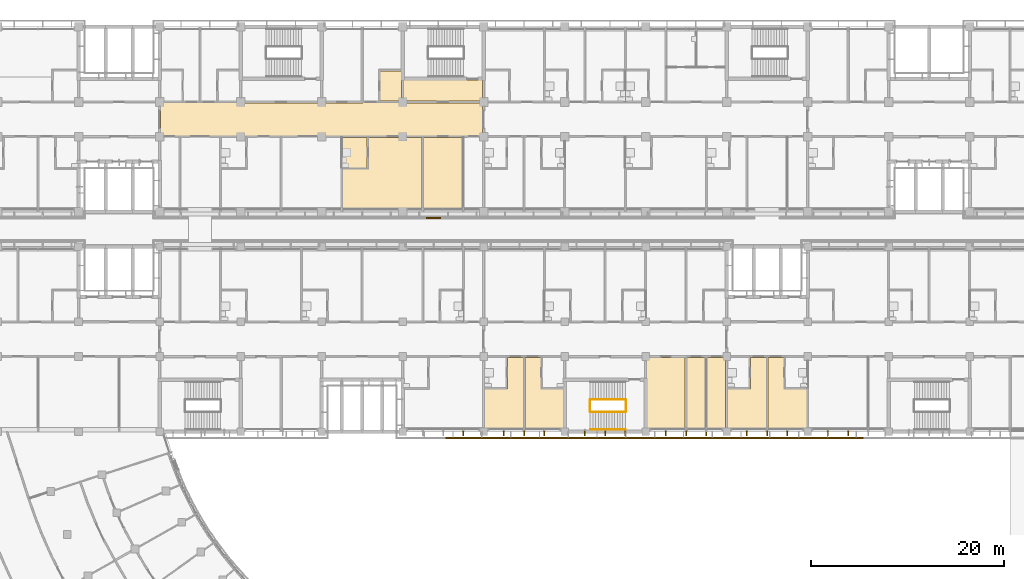
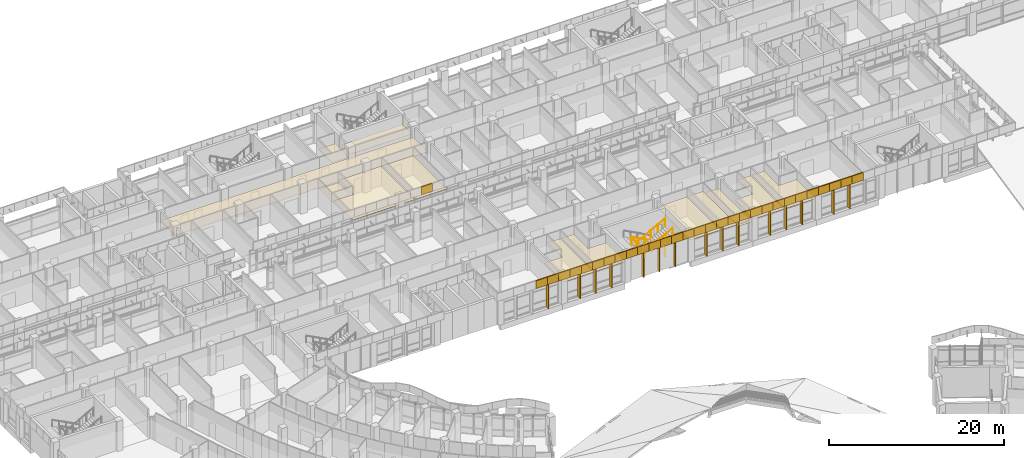
# One storey, part 127 of 137: 43 coverings, 15 shading devices, 5 railings.
"""IFC4 building model written with IfcOpenShell, lengths in metres."""

from ifc_helpers import new_model, si_unit, direction, frame, origin, origin_2d, place, context, subcontext, project, spatial, polyline, rectangle, circle, outline, extrude, material, layer, layer_set, material_profile, profile_set, type_object, element, save


model = new_model("IFC4")

# Units and contexts
model_context = context("Model", 3, precision=1e-05, world=origin(), true_north=direction((0.0, 1.0)))
body_context = subcontext(model_context, "Body", "Model", "MODEL_VIEW")
ifc_project = project(units=[si_unit("LENGTHUNIT", "METRE"), si_unit("AREAUNIT", "SQUARE_METRE"), si_unit("VOLUMEUNIT", "CUBIC_METRE"), si_unit("PLANEANGLEUNIT", "RADIAN"), si_unit("MASSUNIT", "GRAM", prefix="KILO")], contexts=[model_context])

# Site, building, storey
site_placement = place(None, origin())
site = spatial("IfcSite", under=ifc_project, at=site_placement, CompositionType="ELEMENT")
building_placement = place(site_placement, origin())
building = spatial("IfcBuilding", under=site, at=building_placement, Name="Bougainvillea Quay General Hospital", CompositionType="ELEMENT")
storey_placement = place(building_placement, frame((0.0, 0.0, 16.800048828125)))
storey = spatial("IfcBuildingStorey", under=building, at=storey_placement, Name="L03", CompositionType="ELEMENT", Elevation=16.800048828125)

# Coverings
ifc_material_1 = material(Name="Powder-coated aluminium fascia, white", Category="aluminium")
ifc_layer_1 = layer(ifc_material_1, 0.14990234375)
ifc_layer_set_1 = layer_set([ifc_layer_1], Name="Powder-coated aluminium fascia, white")
covering_type_1 = type_object("IfcCoveringType", Name="Aluminium fascia band white 150x1100", PredefinedType="CLADDING", material=ifc_layer_set_1)
covering_1_placement = place(storey_placement, frame((103.27587890625, 139.85009765625, 3.64990234375), z_axis=(0.0, 0.0, 1.0), x_axis=(1.0, 0.0, 0.0)))
element("IfcCovering", 1, at=covering_1_placement, inside=storey, type_object=covering_type_1, Name="Fascia band white e1 16", PredefinedType="CLADDING", context=body_context, shape_type="SweptSolid", body=[
    extrude(outline(polyline([(0.0, 0.0), (1.48095703125, 0.0), (1.48095703125, -0.150146484375), (0.0, -0.150146484375), (0.0, 0.0)])), origin(), (0.0, 0.0, 1.0), 1.10009765625),
])
covering_2_placement = place(storey_placement, frame((105.280029296875, 117.050048828125, 3.64990234375), z_axis=(0.0, 0.0, 1.0), x_axis=(1.0, 0.0, 0.0)))
element("IfcCovering", 2, at=covering_2_placement, inside=storey, type_object=covering_type_1, Name="Fascia band white e1 29", PredefinedType="CLADDING", context=body_context, shape_type="SweptSolid", body=[
    extrude(outline(polyline([(0.0, 0.0), (1.493408203125, 0.0), (1.493408203125, -0.150146484375), (0.0, -0.150146484375), (0.0, 0.0)])), origin(), (0.0, 0.0, 1.0), 1.10009765625),
])
covering_3_placement = place(storey_placement, frame((106.7734375, 117.050048828125, 3.64990234375), z_axis=(0.0, 0.0, 1.0), x_axis=(1.0, 0.0, 0.0)))
element("IfcCovering", 3, at=covering_3_placement, inside=storey, type_object=covering_type_1, Name="Fascia band white e1 30", PredefinedType="CLADDING", context=body_context, shape_type="SweptSolid", body=[
    extrude(outline(polyline([(0.0, 0.0), (1.4931640625, 0.0), (1.4931640625, -0.150146484375), (0.0, -0.150146484375), (0.0, 0.0)])), origin(), (0.0, 0.0, 1.0), 1.10009765625),
])
for number, where, z_axis, x_axis, name in (
    (4, (108.2666015625, 117.050048828125, 3.64990234375), (0.0, 0.0, 1.0), (1.0, 0.0, 0.0), "Fascia band white e1 31"),
    (5, (109.760009765625, 117.050048828125, 3.64990234375), (0.0, 0.0, 1.0), (1.0, 0.0, 0.0), "Fascia band white e1 32"),
):
    element("IfcCovering", number, at=place(storey_placement, frame(where, z_axis=z_axis, x_axis=x_axis)), inside=storey, type_object=covering_type_1, Name=name, PredefinedType="CLADDING", context=body_context, shape_type="SweptSolid", body=[
        extrude(outline(polyline([(0.0, 0.0), (1.493408203125, 0.0), (1.493408203125, -0.150146484375), (0.0, -0.150146484375), (0.0, 0.0)])), origin(), (0.0, 0.0, 1.0), 1.10009765625),
    ])
covering_4_placement = place(storey_placement, frame((111.25341796875, 117.050048828125, 3.64990234375), z_axis=(0.0, 0.0, 1.0), x_axis=(1.0, 0.0, 0.0)))
element("IfcCovering", 6, at=covering_4_placement, inside=storey, type_object=covering_type_1, Name="Fascia band white e1 33", PredefinedType="CLADDING", context=body_context, shape_type="SweptSolid", body=[
    extrude(outline(polyline([(0.0, 0.0), (1.4931640625, 0.0), (1.4931640625, -0.150146484375), (0.0, -0.150146484375), (0.0, 0.0)])), origin(), (0.0, 0.0, 1.0), 1.10009765625),
])
for number, where, z_axis, x_axis, name in (
    (7, (112.74658203125, 117.050048828125, 3.64990234375), (0.0, 0.0, 1.0), (1.0, 0.0, 0.0), "Fascia band white e1 34"),
    (8, (114.239990234375, 117.050048828125, 3.64990234375), (0.0, 0.0, 1.0), (1.0, 0.0, 0.0), "Fascia band white e1 35"),
):
    element("IfcCovering", number, at=place(storey_placement, frame(where, z_axis=z_axis, x_axis=x_axis)), inside=storey, type_object=covering_type_1, Name=name, PredefinedType="CLADDING", context=body_context, shape_type="SweptSolid", body=[
        extrude(outline(polyline([(0.0, 0.0), (1.493408203125, 0.0), (1.493408203125, -0.150146484375), (0.0, -0.150146484375), (0.0, 0.0)])), origin(), (0.0, 0.0, 1.0), 1.10009765625),
    ])
covering_5_placement = place(storey_placement, frame((115.7333984375, 117.050048828125, 3.64990234375), z_axis=(0.0, 0.0, 1.0), x_axis=(1.0, 0.0, 0.0)))
element("IfcCovering", 9, at=covering_5_placement, inside=storey, type_object=covering_type_1, Name="Fascia band white e1 36", PredefinedType="CLADDING", context=body_context, shape_type="SweptSolid", body=[
    extrude(outline(polyline([(0.0, 0.0), (1.4931640625, 0.0), (1.4931640625, -0.150146484375), (0.0, -0.150146484375), (0.0, 0.0)])), origin(), (0.0, 0.0, 1.0), 1.10009765625),
])
for number, where, z_axis, x_axis, name in (
    (10, (117.2265625, 117.050048828125, 3.64990234375), (0.0, 0.0, 1.0), (1.0, 0.0, 0.0), "Fascia band white e1 37"),
    (11, (118.719970703125, 117.050048828125, 3.64990234375), (0.0, 0.0, 1.0), (1.0, 0.0, 0.0), "Fascia band white e1 38"),
    (12, (120.21337890625, 117.050048828125, 3.64990234375), (0.0, 0.0, 1.0), (1.0, 0.0, 0.0), "Fascia band white e1 39"),
):
    element("IfcCovering", number, at=place(storey_placement, frame(where, z_axis=z_axis, x_axis=x_axis)), inside=storey, type_object=covering_type_1, Name=name, PredefinedType="CLADDING", context=body_context, shape_type="SweptSolid", body=[
        extrude(outline(polyline([(0.0, 0.0), (1.493408203125, 0.0), (1.493408203125, -0.150146484375), (0.0, -0.150146484375), (0.0, 0.0)])), origin(), (0.0, 0.0, 1.0), 1.10009765625),
    ])
covering_6_placement = place(storey_placement, frame((121.706787109375, 117.050048828125, 3.64990234375), z_axis=(0.0, 0.0, 1.0), x_axis=(1.0, 0.0, 0.0)))
element("IfcCovering", 13, at=covering_6_placement, inside=storey, type_object=covering_type_1, Name="Fascia band white e1 40", PredefinedType="CLADDING", context=body_context, shape_type="SweptSolid", body=[
    extrude(outline(polyline([(0.0, 0.0), (1.4931640625, 0.0), (1.4931640625, -0.150146484375), (0.0, -0.150146484375), (0.0, 0.0)])), origin(), (0.0, 0.0, 1.0), 1.10009765625),
])
for number, where, z_axis, x_axis, name in (
    (14, (123.199951171875, 117.050048828125, 3.64990234375), (0.0, 0.0, 1.0), (1.0, 0.0, 0.0), "Fascia band white e1 41"),
    (15, (124.693359375, 117.050048828125, 3.64990234375), (0.0, 0.0, 1.0), (1.0, 0.0, 0.0), "Fascia band white e1 42"),
):
    element("IfcCovering", number, at=place(storey_placement, frame(where, z_axis=z_axis, x_axis=x_axis)), inside=storey, type_object=covering_type_1, Name=name, PredefinedType="CLADDING", context=body_context, shape_type="SweptSolid", body=[
        extrude(outline(polyline([(0.0, 0.0), (1.493408203125, 0.0), (1.493408203125, -0.150146484375), (0.0, -0.150146484375), (0.0, 0.0)])), origin(), (0.0, 0.0, 1.0), 1.10009765625),
    ])
covering_7_placement = place(storey_placement, frame((126.186767578125, 117.050048828125, 3.64990234375), z_axis=(0.0, 0.0, 1.0), x_axis=(1.0, 0.0, 0.0)))
element("IfcCovering", 16, at=covering_7_placement, inside=storey, type_object=covering_type_1, Name="Fascia band white e1 43", PredefinedType="CLADDING", context=body_context, shape_type="SweptSolid", body=[
    extrude(outline(polyline([(0.0, 0.0), (1.4931640625, 0.0), (1.4931640625, -0.150146484375), (0.0, -0.150146484375), (0.0, 0.0)])), origin(), (0.0, 0.0, 1.0), 1.10009765625),
])
for number, where, z_axis, x_axis, name in (
    (17, (127.679931640625, 117.050048828125, 3.64990234375), (0.0, 0.0, 1.0), (1.0, 0.0, 0.0), "Fascia band white e1 44"),
    (18, (129.17333984375, 117.050048828125, 3.64990234375), (0.0, 0.0, 1.0), (1.0, 0.0, 0.0), "Fascia band white e1 45"),
):
    element("IfcCovering", number, at=place(storey_placement, frame(where, z_axis=z_axis, x_axis=x_axis)), inside=storey, type_object=covering_type_1, Name=name, PredefinedType="CLADDING", context=body_context, shape_type="SweptSolid", body=[
        extrude(outline(polyline([(0.0, 0.0), (1.493408203125, 0.0), (1.493408203125, -0.150146484375), (0.0, -0.150146484375), (0.0, 0.0)])), origin(), (0.0, 0.0, 1.0), 1.10009765625),
    ])
covering_8_placement = place(storey_placement, frame((130.666748046875, 117.050048828125, 3.64990234375), z_axis=(0.0, 0.0, 1.0), x_axis=(1.0, 0.0, 0.0)))
element("IfcCovering", 19, at=covering_8_placement, inside=storey, type_object=covering_type_1, Name="Fascia band white e1 46", PredefinedType="CLADDING", context=body_context, shape_type="SweptSolid", body=[
    extrude(outline(polyline([(0.0, 0.0), (1.4931640625, 0.0), (1.4931640625, -0.150146484375), (0.0, -0.150146484375), (0.0, 0.0)])), origin(), (0.0, 0.0, 1.0), 1.10009765625),
])
for number, where, z_axis, x_axis, name in (
    (20, (132.159912109375, 117.050048828125, 3.64990234375), (0.0, 0.0, 1.0), (1.0, 0.0, 0.0), "Fascia band white e1 47"),
    (21, (133.6533203125, 117.050048828125, 3.64990234375), (0.0, 0.0, 1.0), (1.0, 0.0, 0.0), "Fascia band white e1 48"),
):
    element("IfcCovering", number, at=place(storey_placement, frame(where, z_axis=z_axis, x_axis=x_axis)), inside=storey, type_object=covering_type_1, Name=name, PredefinedType="CLADDING", context=body_context, shape_type="SweptSolid", body=[
        extrude(outline(polyline([(0.0, 0.0), (1.493408203125, 0.0), (1.493408203125, -0.150146484375), (0.0, -0.150146484375), (0.0, 0.0)])), origin(), (0.0, 0.0, 1.0), 1.10009765625),
    ])
covering_9_placement = place(storey_placement, frame((135.146728515625, 117.050048828125, 3.64990234375), z_axis=(0.0, 0.0, 1.0), x_axis=(1.0, 0.0, 0.0)))
element("IfcCovering", 22, at=covering_9_placement, inside=storey, type_object=covering_type_1, Name="Fascia band white e1 49", PredefinedType="CLADDING", context=body_context, shape_type="SweptSolid", body=[
    extrude(outline(polyline([(0.0, 0.0), (1.4931640625, 0.0), (1.4931640625, -0.150146484375), (0.0, -0.150146484375), (0.0, 0.0)])), origin(), (0.0, 0.0, 1.0), 1.10009765625),
])
for number, where, z_axis, x_axis, name in (
    (23, (136.639892578125, 117.050048828125, 3.64990234375), (0.0, 0.0, 1.0), (1.0, 0.0, 0.0), "Fascia band white e1 50"),
    (24, (138.13330078125, 117.050048828125, 3.64990234375), (0.0, 0.0, 1.0), (1.0, 0.0, 0.0), "Fascia band white e1 51"),
    (25, (139.626708984375, 117.050048828125, 3.64990234375), (0.0, 0.0, 1.0), (1.0, 0.0, 0.0), "Fascia band white e1 52"),
):
    element("IfcCovering", number, at=place(storey_placement, frame(where, z_axis=z_axis, x_axis=x_axis)), inside=storey, type_object=covering_type_1, Name=name, PredefinedType="CLADDING", context=body_context, shape_type="SweptSolid", body=[
        extrude(outline(polyline([(0.0, 0.0), (1.493408203125, 0.0), (1.493408203125, -0.150146484375), (0.0, -0.150146484375), (0.0, 0.0)])), origin(), (0.0, 0.0, 1.0), 1.10009765625),
    ])
covering_10_placement = place(storey_placement, frame((141.1201171875, 117.050048828125, 3.64990234375), z_axis=(0.0, 0.0, 1.0), x_axis=(1.0, 0.0, 0.0)))
element("IfcCovering", 26, at=covering_10_placement, inside=storey, type_object=covering_type_1, Name="Fascia band white e1 53", PredefinedType="CLADDING", context=body_context, shape_type="SweptSolid", body=[
    extrude(outline(polyline([(0.0, 0.0), (1.4931640625, 0.0), (1.4931640625, -0.150146484375), (0.0, -0.150146484375), (0.0, 0.0)])), origin(), (0.0, 0.0, 1.0), 1.10009765625),
])
for number, where, z_axis, x_axis, name in (
    (27, (142.61328125, 117.050048828125, 3.64990234375), (0.0, 0.0, 1.0), (1.0, 0.0, 0.0), "Fascia band white e1 54"),
    (28, (144.106689453125, 117.050048828125, 3.64990234375), (0.0, 0.0, 1.0), (1.0, 0.0, 0.0), "Fascia band white e1 55"),
):
    element("IfcCovering", number, at=place(storey_placement, frame(where, z_axis=z_axis, x_axis=x_axis)), inside=storey, type_object=covering_type_1, Name=name, PredefinedType="CLADDING", context=body_context, shape_type="SweptSolid", body=[
        extrude(outline(polyline([(0.0, 0.0), (1.493408203125, 0.0), (1.493408203125, -0.150146484375), (0.0, -0.150146484375), (0.0, 0.0)])), origin(), (0.0, 0.0, 1.0), 1.10009765625),
    ])
covering_11_placement = place(storey_placement, frame((145.60009765625, 117.050048828125, 3.64990234375), z_axis=(0.0, 0.0, 1.0), x_axis=(1.0, 0.0, 0.0)))
element("IfcCovering", 29, at=covering_11_placement, inside=storey, type_object=covering_type_1, Name="Fascia band white e1 56", PredefinedType="CLADDING", context=body_context, shape_type="SweptSolid", body=[
    extrude(outline(polyline([(0.0, 0.0), (1.4931640625, 0.0), (1.4931640625, -0.150146484375), (0.0, -0.150146484375), (0.0, 0.0)])), origin(), (0.0, 0.0, 1.0), 1.10009765625),
])
covering_12_placement = place(storey_placement, frame((147.09326171875, 117.050048828125, 3.64990234375), z_axis=(0.0, 0.0, 1.0), x_axis=(1.0, 0.0, 0.0)))
element("IfcCovering", 30, at=covering_12_placement, inside=storey, type_object=covering_type_1, Name="Fascia band white e1 57", PredefinedType="CLADDING", context=body_context, shape_type="SweptSolid", body=[
    extrude(outline(polyline([(0.0, 0.0), (1.493408203125, 0.0), (1.493408203125, -0.150146484375), (0.0, -0.150146484375), (0.0, 0.0)])), origin(), (0.0, 0.0, 1.0), 1.10009765625),
])

# Railings
ifc_material_2 = material(Name="Stainless steel 304 balustrade", Category="steel")
railing_type_1 = type_object("IfcRailingType", Name="Stair guard 1100", PredefinedType="GUARDRAIL", material=ifc_material_2)
railing_1_placement = place(storey_placement, frame((123.89990234375, 120.949951171875, 0.14990234375)))
element("IfcRailing", 31, at=railing_1_placement, inside=storey, type_object=railing_type_1, Name="L03 ST-B3 stair guard 1", PredefinedType="GUARDRAIL", context=body_context, shape_type="SweptSolid", body=[
    extrude(circle(Radius=0.02392578125, at=origin_2d()), frame((0.0, 0.0, 1.076171875), z_axis=(-0.881479091078, 0.0, 0.472223053219), x_axis=(0.0, -1.0, 0.0)), (0.0, 0.0, 1.0), 4.12939453125),
    extrude(circle(Radius=0.02099609375, at=origin_2d()), origin(), (0.0, 0.0, 1.0), 1.052001953125),
    extrude(circle(Radius=0.02099609375, at=origin_2d()), frame((-0.909912109375, 0.0, 0.487548828125)), (0.0, 0.0, 1.0), 1.052001953125),
    extrude(circle(Radius=0.02099609375, at=origin_2d()), frame((-1.81982421875, 0.0, 0.97509765625)), (0.0, 0.0, 1.0), 1.052001953125),
    extrude(circle(Radius=0.02099609375, at=origin_2d()), frame((-2.72998046875, 0.0, 1.46240234375)), (0.0, 0.0, 1.0), 1.052001953125),
    extrude(circle(Radius=0.02099609375, at=origin_2d()), frame((-3.639892578125, 0.0, 1.949951171875)), (0.0, 0.0, 1.0), 1.052001953125),
])
railing_2_placement = place(storey_placement, frame((120.2099609375, 120.89990234375, 2.099853515625)))
element("IfcRailing", 32, at=railing_2_placement, inside=storey, type_object=railing_type_1, Name="L03 ST-B3 stair guard 2", PredefinedType="GUARDRAIL", context=body_context, shape_type="SweptSolid", body=[
    extrude(circle(Radius=0.02392578125, at=origin_2d()), frame((0.0, 0.0, 1.076171875), z_axis=(0.0, -1.0, 0.0), x_axis=(1.0, 0.0, 0.0)), (0.0, 0.0, 1.0), 1.199951171875),
    extrude(circle(Radius=0.02099609375, at=origin_2d()), origin(), (0.0, 0.0, 1.0), 1.052001953125),
    extrude(circle(Radius=0.02099609375, at=origin_2d()), frame((0.0, -1.199951171875, 0.0)), (0.0, 0.0, 1.0), 1.052001953125),
])
railing_3_placement = place(storey_placement, frame((120.260009765625, 119.64990234375, 2.25)))
element("IfcRailing", 33, at=railing_3_placement, inside=storey, type_object=railing_type_1, Name="L03 ST-B3 stair guard 3", PredefinedType="GUARDRAIL", context=body_context, shape_type="SweptSolid", body=[
    extrude(circle(Radius=0.02392578125, at=origin_2d()), frame((0.0, 0.0, 1.076171875), z_axis=(0.881479091078, 0.0, 0.472223053219), x_axis=(0.0, 1.0, 0.0)), (0.0, 0.0, 1.0), 4.12939453125),
    extrude(circle(Radius=0.02099609375, at=origin_2d()), origin(), (0.0, 0.0, 1.0), 1.052001953125),
    extrude(circle(Radius=0.02099609375, at=origin_2d()), frame((0.909912109375, 0.0, 0.487548828125)), (0.0, 0.0, 1.0), 1.052001953125),
    extrude(circle(Radius=0.02099609375, at=origin_2d()), frame((1.81982421875, 0.0, 0.97509765625)), (0.0, 0.0, 1.0), 1.052001953125),
    extrude(circle(Radius=0.02099609375, at=origin_2d()), frame((2.72998046875, 0.0, 1.46240234375)), (0.0, 0.0, 1.0), 1.052001953125),
    extrude(circle(Radius=0.02099609375, at=origin_2d()), frame((3.639892578125, 0.0, 1.949951171875)), (0.0, 0.0, 1.0), 1.052001953125),
])
railing_4_placement = place(storey_placement, frame((123.949951171875, 120.89990234375, 0.0)))
element("IfcRailing", 34, at=railing_4_placement, inside=storey, type_object=railing_type_1, Name="L03 ST-B3 stair guard 4", PredefinedType="GUARDRAIL", context=body_context, shape_type="SweptSolid", body=[
    extrude(circle(Radius=0.02392578125, at=origin_2d()), frame((0.0, 0.0, 1.076171875), z_axis=(0.0, -1.0, 0.0), x_axis=(1.0, 0.0, 0.0)), (0.0, 0.0, 1.0), 1.199951171875),
    extrude(circle(Radius=0.02099609375, at=origin_2d()), origin(), (0.0, 0.0, 1.0), 1.052001953125),
    extrude(circle(Radius=0.02099609375, at=origin_2d()), frame((0.0, -1.199951171875, 0.0)), (0.0, 0.0, 1.0), 1.052001953125),
])
ifc_material_3 = material(Name="Stainless steel 304 handrail", Category="steel")
railing_type_2 = type_object("IfcRailingType", Name="Stair handrail 900", PredefinedType="HANDRAIL", material=ifc_material_3)
railing_5_placement = place(storey_placement, frame((120.260009765625, 117.824951171875, 2.25)))
element("IfcRailing", 35, at=railing_5_placement, inside=storey, type_object=railing_type_2, Name="L03 ST-B3 stair handrail 2", PredefinedType="HANDRAIL", context=body_context, shape_type="SweptSolid", body=[
    extrude(circle(Radius=0.02392578125, at=origin_2d()), frame((0.0, 0.0, 0.8759765625), z_axis=(0.881479091078, 0.0, 0.472223053219), x_axis=(0.0, 1.0, 0.0)), (0.0, 0.0, 1.0), 4.12939453125),
    extrude(circle(Radius=0.02099609375, at=origin_2d()), origin(), (0.0, 0.0, 1.0), 0.851806640625),
    extrude(circle(Radius=0.02099609375, at=origin_2d()), frame((0.909912109375, 0.0, 0.487548828125)), (0.0, 0.0, 1.0), 0.851806640625),
    extrude(circle(Radius=0.02099609375, at=origin_2d()), frame((1.81982421875, 0.0, 0.97509765625)), (0.0, 0.0, 1.0), 0.851806640625),
    extrude(circle(Radius=0.02099609375, at=origin_2d()), frame((2.72998046875, 0.0, 1.46240234375)), (0.0, 0.0, 1.0), 0.851806640625),
    extrude(circle(Radius=0.02099609375, at=origin_2d()), frame((3.639892578125, 0.0, 1.949951171875)), (0.0, 0.0, 1.0), 0.851806640625),
])

# Coverings
ifc_material_4 = material(Name="Mineral fibre ceiling tile")
ifc_layer_2 = layer(ifc_material_4, 0.030029296875)
ifc_layer_set_2 = layer_set([ifc_layer_2], Name="Mineral fibre ceiling tile")
covering_type_2 = type_object("IfcCoveringType", Name="Suspended ceiling mineral fibre tile", PredefinedType="CEILING", material=ifc_layer_set_2)
covering_13_placement = place(storey_placement, frame((0.0, 0.0, 2.699951171875)))
element("IfcCovering", 36, at=covering_13_placement, inside=storey, type_object=covering_type_2, Name="Ceiling Refuge Room RR-B3-L03", PredefinedType="CEILING", context=body_context, shape_type="SweptSolid", body=[
    extrude(outline(polyline([(130.10009765625, 117.60009765625), (130.10009765625, 125.300048828125), (126.10009765625, 125.300048828125), (126.10009765625, 117.60009765625), (130.10009765625, 117.60009765625)])), origin(), (0.0, 0.0, 1.0), 0.030029296875),
])
covering_14_placement = place(storey_placement, frame((0.0, 0.0, 2.699951171875)))
element("IfcCovering", 37, at=covering_14_placement, inside=storey, type_object=covering_type_2, Name="Ceiling Smoke-proof Vestibule ST-A5", PredefinedType="CEILING", context=body_context, shape_type="SweptSolid", body=[
    extrude(outline(polyline([(100.89990234375, 151.89990234375), (109.10009765625, 151.89990234375), (109.10009765625, 154.10009765625), (100.89990234375, 154.10009765625), (100.89990234375, 151.89990234375)])), origin(), (0.0, 0.0, 1.0), 0.030029296875),
])
covering_15_placement = place(storey_placement, frame((0.0, 0.0, 2.699951171875)))
element("IfcCovering", 38, at=covering_15_placement, inside=storey, type_object=covering_type_2, Name="Ceiling Gynaecology Ward Room 03A13", PredefinedType="CEILING", context=body_context, shape_type="SweptSolid", body=[
    extrude(outline(polyline([(102.824951171875, 140.39990234375), (102.824951171875, 148.125), (97.27490234375, 148.125), (97.27490234375, 144.824951171875), (94.574951171875, 144.824951171875), (94.574951171875, 140.39990234375), (102.824951171875, 140.39990234375)])), origin(), (0.0, 0.0, 1.0), 0.030029296875),
])
covering_16_placement = place(storey_placement, frame((0.0, 0.0, 2.39990234375)))
element("IfcCovering", 39, at=covering_16_placement, inside=storey, type_object=covering_type_2, Name="Ceiling En-suite 03A13", PredefinedType="CEILING", context=body_context, shape_type="SweptSolid", body=[
    extrude(outline(polyline([(94.550048828125, 148.125), (94.550048828125, 144.97509765625), (97.125, 144.97509765625), (97.125, 148.125), (94.550048828125, 148.125)])), origin(), (0.0, 0.0, 1.0), 0.030029296875),
])
covering_17_placement = place(storey_placement, frame((0.0, 0.0, 2.699951171875)))
element("IfcCovering", 40, at=covering_17_placement, inside=storey, type_object=covering_type_2, Name="Ceiling Treatment and Clean Utility Room 03A14", PredefinedType="CEILING", context=body_context, shape_type="SweptSolid", body=[
    extrude(outline(polyline([(107.050048828125, 140.39990234375), (107.050048828125, 148.125), (102.97509765625, 148.125), (102.97509765625, 140.39990234375), (107.050048828125, 140.39990234375)])), origin(), (0.0, 0.0, 1.0), 0.030029296875),
])
covering_18_placement = place(storey_placement, frame((0.0, 0.0, 2.39990234375)))
element("IfcCovering", 41, at=covering_18_placement, inside=storey, type_object=covering_type_2, Name="Ceiling En-suite 03A16", PredefinedType="CEILING", context=body_context, shape_type="SweptSolid", body=[
    extrude(outline(polyline([(100.75, 154.300048828125), (100.75, 155.02490234375), (98.47509765625, 155.02490234375), (98.47509765625, 151.875), (100.699951171875, 151.875), (100.699951171875, 154.300048828125), (100.75, 154.300048828125)])), origin(), (0.0, 0.0, 1.0), 0.030029296875),
])
covering_19_placement = place(storey_placement, frame((0.0, 0.0, 2.39990234375)))
element("IfcCovering", 42, at=covering_19_placement, inside=storey, type_object=covering_type_2, Name="Ceiling Ward Corridor A2", PredefinedType="CEILING", context=body_context, shape_type="SweptSolid", body=[
    extrude(outline(polyline([(96.699951171875, 151.699951171875), (83.89990234375, 151.699951171875), (83.89990234375, 151.72509765625), (75.699951171875, 151.72509765625), (75.699951171875, 148.27490234375), (109.10009765625, 148.27490234375), (109.10009765625, 151.699951171875), (100.699951171875, 151.699951171875), (100.699951171875, 151.72509765625), (96.699951171875, 151.72509765625), (96.699951171875, 151.699951171875)])), origin(), (0.0, 0.0, 1.0), 0.030029296875),
])
covering_20_placement = place(storey_placement, frame((0.0, 0.0, 2.699951171875)))
element("IfcCovering", 43, at=covering_20_placement, inside=storey, type_object=covering_type_2, Name="Ceiling Postnatal Patient Room 03B17", PredefinedType="CEILING", context=body_context, shape_type="SweptSolid", body=[
    extrude(outline(polyline([(113.324951171875, 117.60009765625), (113.324951171875, 125.324951171875), (111.675048828125, 125.324951171875), (111.675048828125, 122.02490234375), (109.300048828125, 122.02490234375), (109.300048828125, 117.60009765625), (113.324951171875, 117.60009765625)])), origin(), (0.0, 0.0, 1.0), 0.030029296875),
])
covering_21_placement = place(storey_placement, frame((0.0, 0.0, 2.699951171875)))
element("IfcCovering", 44, at=covering_21_placement, inside=storey, type_object=covering_type_2, Name="Ceiling Postnatal Patient Room 03B18", PredefinedType="CEILING", context=body_context, shape_type="SweptSolid", body=[
    extrude(outline(polyline([(117.52490234375, 117.60009765625), (117.52490234375, 122.02490234375), (115.125, 122.02490234375), (115.125, 125.324951171875), (113.47509765625, 125.324951171875), (113.47509765625, 117.60009765625), (117.52490234375, 117.60009765625)])), origin(), (0.0, 0.0, 1.0), 0.030029296875),
])
covering_22_placement = place(storey_placement, frame((0.0, 0.0, 2.699951171875)))
element("IfcCovering", 45, at=covering_22_placement, inside=storey, type_object=covering_type_2, Name="Ceiling Dirty Utility and Sluice Room 03B24", PredefinedType="CEILING", context=body_context, shape_type="SweptSolid", body=[
    extrude(outline(polyline([(132.25, 117.60009765625), (132.25, 125.324951171875), (130.300048828125, 125.324951171875), (130.300048828125, 117.60009765625), (132.25, 117.60009765625)])), origin(), (0.0, 0.0, 1.0), 0.030029296875),
])
covering_23_placement = place(storey_placement, frame((0.0, 0.0, 2.39990234375)))
element("IfcCovering", 46, at=covering_23_placement, inside=storey, type_object=covering_type_2, Name="Ceiling Cleaners' Store 03B25", PredefinedType="CEILING", context=body_context, shape_type="SweptSolid", body=[
    extrude(outline(polyline([(134.300048828125, 117.60009765625), (134.300048828125, 125.324951171875), (132.35009765625, 125.324951171875), (132.35009765625, 117.60009765625), (134.300048828125, 117.60009765625)])), origin(), (0.0, 0.0, 1.0), 0.030029296875),
])
covering_24_placement = place(storey_placement, frame((0.0, 0.0, 2.699951171875)))
element("IfcCovering", 47, at=covering_24_placement, inside=storey, type_object=covering_type_2, Name="Ceiling Paediatric Patient Room 03B26", PredefinedType="CEILING", context=body_context, shape_type="SweptSolid", body=[
    extrude(outline(polyline([(138.52490234375, 117.60009765625), (138.52490234375, 125.324951171875), (136.875, 125.324951171875), (136.875, 122.02490234375), (134.5, 122.02490234375), (134.5, 117.60009765625), (138.52490234375, 117.60009765625)])), origin(), (0.0, 0.0, 1.0), 0.030029296875),
])
covering_25_placement = place(storey_placement, frame((0.0, 0.0, 2.699951171875)))
element("IfcCovering", 48, at=covering_25_placement, inside=storey, type_object=covering_type_2, Name="Ceiling Paediatric Patient Room 03B27", PredefinedType="CEILING", context=body_context, shape_type="SweptSolid", body=[
    extrude(outline(polyline([(142.72509765625, 117.60009765625), (142.72509765625, 122.02490234375), (140.324951171875, 122.02490234375), (140.324951171875, 125.324951171875), (138.675048828125, 125.324951171875), (138.675048828125, 117.60009765625), (142.72509765625, 117.60009765625)])), origin(), (0.0, 0.0, 1.0), 0.030029296875),
])

# Shading devices
ifc_material_5 = material(Name="Powder-coated aluminium fin, white", Category="aluminium")
ifc_material_profile = material_profile(ifc_material_5, rectangle(XDim=0.550048828125, YDim=0.10009765625, at=origin_2d()))
ifc_profile_set = profile_set([ifc_material_profile], Name="Powder-coated aluminium fin, white")
shading_device_type = type_object("IfcShadingDeviceType", Name="Vertical fin 550x100", PredefinedType="USERDEFINED", material=ifc_profile_set)
for number, where, z_axis, x_axis, name in (
    (49, (147.0, 117.455078125, 0.0), (0.0, 0.0, 1.0), (0.0, -1.0, 0.0), "Vertical fin V5B L03 14.8"),
    (50, (144.89990234375, 117.455078125, 0.0), (0.0, 0.0, 1.0), (0.0, -1.0, 0.0), "Vertical fin V5B L03 14.9"),
    (51, (140.699951171875, 117.455078125, 0.0), (0.0, 0.0, 1.0), (0.0, -1.0, 0.0), "Vertical fin V5B L03 14.10"),
    (52, (138.60009765625, 117.455078125, 0.0), (0.0, 0.0, 1.0), (0.0, -1.0, 0.0), "Vertical fin V5B L03 14.11"),
    (53, (136.5, 117.455078125, 0.0), (0.0, 0.0, 1.0), (0.0, -1.0, 0.0), "Vertical fin V5B L03 14.12"),
    (54, (132.300048828125, 117.455078125, 0.0), (0.0, 0.0, 1.0), (0.0, -1.0, 0.0), "Vertical fin V5B L03 14.13"),
    (55, (130.199951171875, 117.455078125, 0.0), (0.0, 0.0, 1.0), (0.0, -1.0, 0.0), "Vertical fin V5B L03 14.14"),
    (56, (128.10009765625, 117.455078125, 0.0), (0.0, 0.0, 1.0), (0.0, -1.0, 0.0), "Vertical fin V5B L03 14.15"),
    (57, (123.89990234375, 117.455078125, 0.0), (0.0, 0.0, 1.0), (0.0, -1.0, 0.0), "Vertical fin V5B L03 14.16"),
    (58, (121.800048828125, 117.455078125, 0.0), (0.0, 0.0, 1.0), (0.0, -1.0, 0.0), "Vertical fin V5B L03 14.17"),
    (59, (119.699951171875, 117.455078125, 0.0), (0.0, 0.0, 1.0), (0.0, -1.0, 0.0), "Vertical fin V5B L03 14.18"),
    (60, (115.5, 117.455078125, 0.0), (0.0, 0.0, 1.0), (0.0, -1.0, 0.0), "Vertical fin V5B L03 14.19"),
    (61, (113.39990234375, 117.455078125, 0.0), (0.0, 0.0, 1.0), (0.0, -1.0, 0.0), "Vertical fin V5B L03 14.20"),
    (62, (111.300048828125, 117.455078125, 0.0), (0.0, 0.0, 1.0), (0.0, -1.0, 0.0), "Vertical fin V5B L03 14.21"),
    (63, (107.10009765625, 117.455078125, 0.0), (0.0, 0.0, 1.0), (0.0, -1.0, 0.0), "Vertical fin V5B L03 14.22"),
):
    element("IfcShadingDevice", number, at=place(storey_placement, frame(where, z_axis=z_axis, x_axis=x_axis)), inside=storey, type_object=shading_device_type, Name=name, ObjectType="Vertical fin", PredefinedType="USERDEFINED", context=body_context, shape_type="SweptSolid", body=[
        extrude(rectangle(XDim=0.550048828125, YDim=0.10009765625, at=origin_2d()), origin(), (0.0, 0.0, 1.0), 3.6298828125),
    ])

save(model, "model.ifc")
